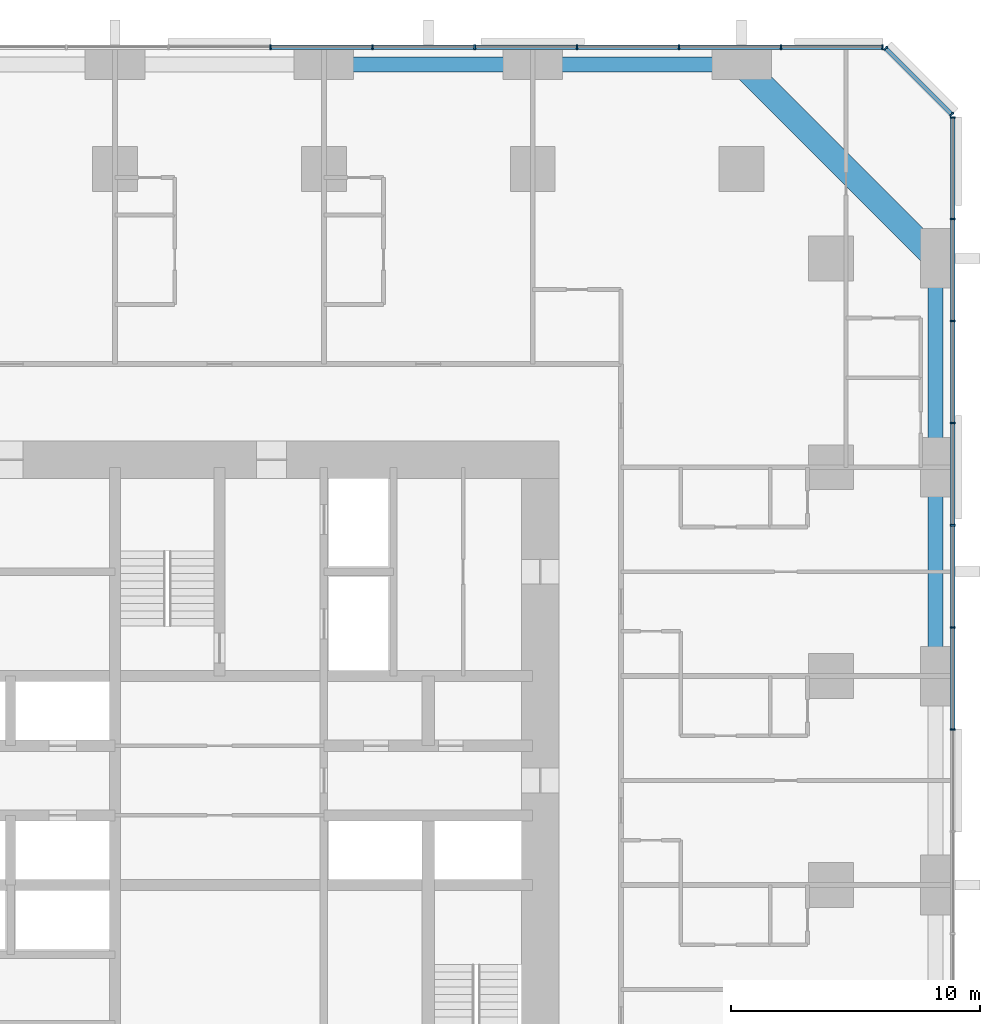
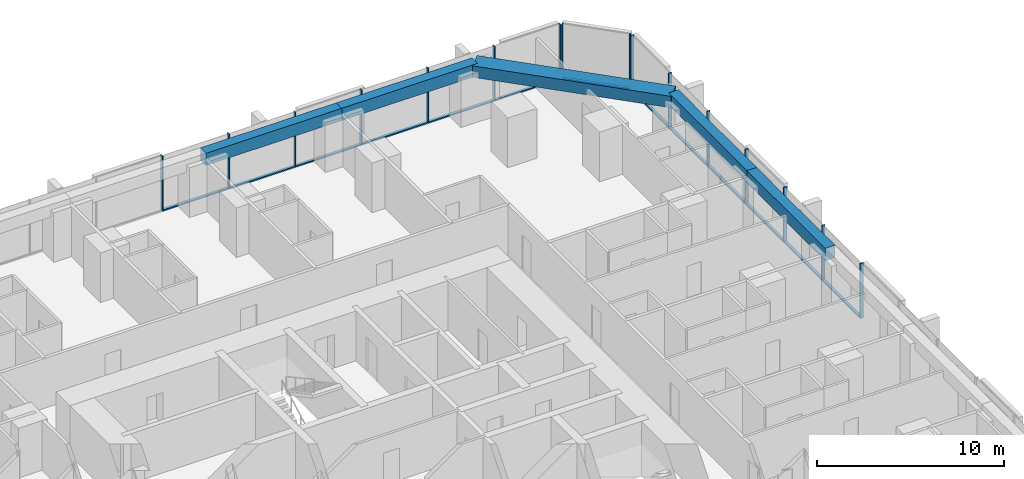
# One storey, part 8 of 17: 29 members, 5 beams, 3 elements without a shape of their own.
"""IFC4 building model written with IfcOpenShell, lengths in metres."""

from ifc_helpers import new_model, si_unit, direction, frame, origin, origin_2d, place, context, subcontext, project, spatial, rectangle, extrude, material, material_profile, profile_set, type_object, element, aggregate, save


model = new_model("IFC4")

# Units and contexts
model_context = context("Model", 3, precision=1e-05, world=origin(), true_north=direction((0.0, 1.0)))
body_context = subcontext(model_context, "Body", "Model", "MODEL_VIEW")
ifc_project = project(units=[si_unit("LENGTHUNIT", "METRE"), si_unit("AREAUNIT", "SQUARE_METRE"), si_unit("VOLUMEUNIT", "CUBIC_METRE"), si_unit("PLANEANGLEUNIT", "RADIAN"), si_unit("MASSUNIT", "GRAM", prefix="KILO")], contexts=[model_context])

# Site, building, storey
site_placement = place(None, origin())
site = spatial("IfcSite", under=ifc_project, at=site_placement, CompositionType="ELEMENT")
building_placement = place(site_placement, origin())
building = spatial("IfcBuilding", under=site, at=building_placement, Name="Dunama Terrace Hotel", CompositionType="ELEMENT")
storey_placement = place(building_placement, frame((0.0, 0.0, 55.800048828125)))
storey = spatial("IfcBuildingStorey", under=building, at=storey_placement, Name="L13", CompositionType="ELEMENT", Elevation=55.800048828125)

# Curtain wall, members
ifc_material_1 = material(Name="Aluminium curtain wall system", Category="aluminium")
curtain_wall_type = type_object("IfcCurtainWallType", Name="Unitised fritted glass wall CW-A", PredefinedType="NOTDEFINED", material=ifc_material_1)
curtain_wall_1_placement = place(storey_placement, origin())
curtain_wall_1 = element("IfcCurtainWall", 1, at=curtain_wall_1_placement, inside=storey, type_object=curtain_wall_type, Name="Unitised fritted glass wall CW-A L13", PredefinedType="NOTDEFINED")
ifc_material_2 = material(Name="Aluminium mullion", Category="aluminium")
ifc_material_profile_1 = material_profile(ifc_material_2, rectangle(XDim=0.06494140625, YDim=0.199951171875, at=origin_2d()), Name="CWA MULLION 65X200")
ifc_profile_set_1 = profile_set([ifc_material_profile_1], Name="Aluminium mullion")
member_type_1 = type_object("IfcMemberType", Name="CWA mullion 65x200", PredefinedType="MULLION", material=ifc_profile_set_1)
member_1_placement = place(storey_placement, frame((58.89990234375, 31.4541015625, 0.0), z_axis=(0.0, 0.0, 1.0), x_axis=(0.0, 1.0, 0.0)))
member_1 = element("IfcMember", 2, at=member_1_placement, type_object=member_type_1, Name="CWA mullion", PredefinedType="MULLION", context=body_context, shape_type="SweptSolid", body=[
    extrude(rectangle(XDim=0.06494140625, YDim=0.199951171875, at=origin_2d()), origin(), (0.0, 0.0, 1.0), 3.599853515625),
])
member_2_placement = place(storey_placement, frame((58.89990234375, 35.56201171875, 0.0), z_axis=(0.0, 0.0, 1.0), x_axis=(0.0, 1.0, 0.0)))
member_2 = element("IfcMember", 3, at=member_2_placement, type_object=member_type_1, Name="CWA mullion", PredefinedType="MULLION", context=body_context, shape_type="SweptSolid", body=[
    extrude(rectangle(XDim=0.06494140625, YDim=0.199951171875, at=origin_2d()), origin(), (0.0, 0.0, 1.0), 3.599853515625),
])
member_3_placement = place(storey_placement, frame((58.89990234375, 39.6689453125, 0.0), z_axis=(0.0, 0.0, 1.0), x_axis=(0.0, 1.0, 0.0)))
member_3 = element("IfcMember", 4, at=member_3_placement, type_object=member_type_1, Name="CWA mullion", PredefinedType="MULLION", context=body_context, shape_type="SweptSolid", body=[
    extrude(rectangle(XDim=0.06494140625, YDim=0.199951171875, at=origin_2d()), origin(), (0.0, 0.0, 1.0), 3.599853515625),
])
member_4_placement = place(storey_placement, frame((58.89990234375, 43.777099609375, 0.0), z_axis=(0.0, 0.0, 1.0), x_axis=(0.0, 1.0, 0.0)))
member_4 = element("IfcMember", 5, at=member_4_placement, type_object=member_type_1, Name="CWA mullion", PredefinedType="MULLION", context=body_context, shape_type="SweptSolid", body=[
    extrude(rectangle(XDim=0.06494140625, YDim=0.199951171875, at=origin_2d()), origin(), (0.0, 0.0, 1.0), 3.599853515625),
])
member_5_placement = place(storey_placement, frame((58.89990234375, 47.885009765625, 0.0), z_axis=(0.0, 0.0, 1.0), x_axis=(0.0, 1.0, 0.0)))
member_5 = element("IfcMember", 6, at=member_5_placement, type_object=member_type_1, Name="CWA mullion", PredefinedType="MULLION", context=body_context, shape_type="SweptSolid", body=[
    extrude(rectangle(XDim=0.06494140625, YDim=0.199951171875, at=origin_2d()), origin(), (0.0, 0.0, 1.0), 3.599853515625),
])
member_6_placement = place(storey_placement, frame((58.89990234375, 51.991943359375, 0.0), z_axis=(0.0, 0.0, 1.0), x_axis=(0.0, 1.0, 0.0)))
member_6 = element("IfcMember", 7, at=member_6_placement, type_object=member_type_1, Name="CWA mullion", PredefinedType="MULLION", context=body_context, shape_type="SweptSolid", body=[
    extrude(rectangle(XDim=0.06494140625, YDim=0.199951171875, at=origin_2d()), origin(), (0.0, 0.0, 1.0), 3.599853515625),
])
member_7_placement = place(storey_placement, frame((58.89990234375, 56.06689453125, 0.0), z_axis=(0.0, 0.0, 1.0), x_axis=(0.0, 1.0, 0.0)))
member_7 = element("IfcMember", 8, at=member_7_placement, type_object=member_type_1, Name="CWA mullion", PredefinedType="MULLION", context=body_context, shape_type="SweptSolid", body=[
    extrude(rectangle(XDim=0.06494140625, YDim=0.199951171875, at=origin_2d()), origin(), (0.0, 0.0, 1.0), 3.599853515625),
])

curtain_wall_2_placement = place(storey_placement, origin())
curtain_wall_2 = element("IfcCurtainWall", 9, at=curtain_wall_2_placement, inside=storey, type_object=curtain_wall_type, Name="Unitised fritted glass wall CW-A L13", PredefinedType="NOTDEFINED")
member_8_placement = place(storey_placement, frame((58.847900390625, 56.194091796875, 0.0), z_axis=(0.0, 0.0, 1.0), x_axis=(-0.707106781187, 0.707106781187, 0.0)))
member_8 = element("IfcMember", 10, at=member_8_placement, type_object=member_type_1, Name="CWA mullion", PredefinedType="MULLION", context=body_context, shape_type="SweptSolid", body=[
    extrude(rectangle(XDim=0.06494140625, YDim=0.199951171875, at=origin_2d()), origin(), (0.0, 0.0, 1.0), 3.599853515625),
])
member_9_placement = place(storey_placement, frame((56.194091796875, 58.847900390625, 0.0), z_axis=(0.0, 0.0, 1.0), x_axis=(-0.707106781187, 0.707106781187, 0.0)))
member_9 = element("IfcMember", 11, at=member_9_placement, type_object=member_type_1, Name="CWA mullion", PredefinedType="MULLION", context=body_context, shape_type="SweptSolid", body=[
    extrude(rectangle(XDim=0.06494140625, YDim=0.199951171875, at=origin_2d()), origin(), (0.0, 0.0, 1.0), 3.599853515625),
])

curtain_wall_3_placement = place(storey_placement, origin())
curtain_wall_3 = element("IfcCurtainWall", 12, at=curtain_wall_3_placement, inside=storey, type_object=curtain_wall_type, Name="Unitised fritted glass wall CW-A L13", PredefinedType="NOTDEFINED")
member_10_placement = place(storey_placement, frame((56.06689453125, 58.89990234375, 0.0), z_axis=(0.0, 0.0, 1.0), x_axis=(-1.0, 0.0, 0.0)))
member_10 = element("IfcMember", 13, at=member_10_placement, type_object=member_type_1, Name="CWA mullion", PredefinedType="MULLION", context=body_context, shape_type="SweptSolid", body=[
    extrude(rectangle(XDim=0.06494140625, YDim=0.199951171875, at=origin_2d()), origin(), (0.0, 0.0, 1.0), 3.599853515625),
])
member_11_placement = place(storey_placement, frame((51.991943359375, 58.89990234375, 0.0), z_axis=(0.0, 0.0, 1.0), x_axis=(-1.0, 0.0, 0.0)))
member_11 = element("IfcMember", 14, at=member_11_placement, type_object=member_type_1, Name="CWA mullion", PredefinedType="MULLION", context=body_context, shape_type="SweptSolid", body=[
    extrude(rectangle(XDim=0.06494140625, YDim=0.199951171875, at=origin_2d()), origin(), (0.0, 0.0, 1.0), 3.599853515625),
])
member_12_placement = place(storey_placement, frame((47.885009765625, 58.89990234375, 0.0), z_axis=(0.0, 0.0, 1.0), x_axis=(-1.0, 0.0, 0.0)))
member_12 = element("IfcMember", 15, at=member_12_placement, type_object=member_type_1, Name="CWA mullion", PredefinedType="MULLION", context=body_context, shape_type="SweptSolid", body=[
    extrude(rectangle(XDim=0.06494140625, YDim=0.199951171875, at=origin_2d()), origin(), (0.0, 0.0, 1.0), 3.599853515625),
])
member_13_placement = place(storey_placement, frame((43.777099609375, 58.89990234375, 0.0), z_axis=(0.0, 0.0, 1.0), x_axis=(-1.0, 0.0, 0.0)))
member_13 = element("IfcMember", 16, at=member_13_placement, type_object=member_type_1, Name="CWA mullion", PredefinedType="MULLION", context=body_context, shape_type="SweptSolid", body=[
    extrude(rectangle(XDim=0.06494140625, YDim=0.199951171875, at=origin_2d()), origin(), (0.0, 0.0, 1.0), 3.599853515625),
])
member_14_placement = place(storey_placement, frame((39.6689453125, 58.89990234375, 0.0), z_axis=(0.0, 0.0, 1.0), x_axis=(-1.0, 0.0, 0.0)))
member_14 = element("IfcMember", 17, at=member_14_placement, type_object=member_type_1, Name="CWA mullion", PredefinedType="MULLION", context=body_context, shape_type="SweptSolid", body=[
    extrude(rectangle(XDim=0.06494140625, YDim=0.199951171875, at=origin_2d()), origin(), (0.0, 0.0, 1.0), 3.599853515625),
])
member_15_placement = place(storey_placement, frame((35.56201171875, 58.89990234375, 0.0), z_axis=(0.0, 0.0, 1.0), x_axis=(-1.0, 0.0, 0.0)))
member_15 = element("IfcMember", 18, at=member_15_placement, type_object=member_type_1, Name="CWA mullion", PredefinedType="MULLION", context=body_context, shape_type="SweptSolid", body=[
    extrude(rectangle(XDim=0.06494140625, YDim=0.199951171875, at=origin_2d()), origin(), (0.0, 0.0, 1.0), 3.599853515625),
])
member_16_placement = place(storey_placement, frame((31.4541015625, 58.89990234375, 0.0), z_axis=(0.0, 0.0, 1.0), x_axis=(-1.0, 0.0, 0.0)))
member_16 = element("IfcMember", 19, at=member_16_placement, type_object=member_type_1, Name="CWA mullion", PredefinedType="MULLION", context=body_context, shape_type="SweptSolid", body=[
    extrude(rectangle(XDim=0.06494140625, YDim=0.199951171875, at=origin_2d()), origin(), (0.0, 0.0, 1.0), 3.599853515625),
])

# Member
ifc_material_3 = material(Name="Aluminium transom", Category="aluminium")
ifc_material_profile_2 = material_profile(ifc_material_3, rectangle(XDim=0.179931640625, YDim=0.074951171875, at=origin_2d()), Name="CWA TRANSOM 180X75")
ifc_profile_set_2 = profile_set([ifc_material_profile_2], Name="Aluminium transom")
member_type_2 = type_object("IfcMemberType", Name="CWA transom 180x75", PredefinedType="USERDEFINED", material=ifc_profile_set_2)
member_17_placement = place(storey_placement, frame((58.89990234375, 31.486083984375, 0.037353515625), z_axis=(0.0, 1.0, 0.0), x_axis=(-1.0, 0.0, 0.0)))
member_17 = element("IfcMember", 20, at=member_17_placement, type_object=member_type_2, Name="CWA transom", ObjectType="TRANSOM", PredefinedType="USERDEFINED", context=body_context, shape_type="SweptSolid", body=[
    extrude(rectangle(XDim=0.179931640625, YDim=0.074951171875, at=origin_2d()), origin(), (0.0, 0.0, 1.0), 4.04296875),
])

member_18_placement = place(storey_placement, frame((58.89990234375, 35.593994140625, 0.037353515625), z_axis=(0.0, 1.0, 0.0), x_axis=(-1.0, 0.0, 0.0)))
member_18 = element("IfcMember", 21, at=member_18_placement, type_object=member_type_2, Name="CWA transom", ObjectType="TRANSOM", PredefinedType="USERDEFINED", context=body_context, shape_type="SweptSolid", body=[
    extrude(rectangle(XDim=0.179931640625, YDim=0.074951171875, at=origin_2d()), origin(), (0.0, 0.0, 1.0), 4.04296875),
])

member_19_placement = place(storey_placement, frame((58.89990234375, 39.701904296875, 0.037353515625), z_axis=(0.0, 1.0, 0.0), x_axis=(-1.0, 0.0, 0.0)))
member_19 = element("IfcMember", 22, at=member_19_placement, type_object=member_type_2, Name="CWA transom", ObjectType="TRANSOM", PredefinedType="USERDEFINED", context=body_context, shape_type="SweptSolid", body=[
    extrude(rectangle(XDim=0.179931640625, YDim=0.074951171875, at=origin_2d()), origin(), (0.0, 0.0, 1.0), 4.0419921875),
])

member_20_placement = place(storey_placement, frame((58.89990234375, 43.80908203125, 0.037353515625), z_axis=(0.0, 1.0, 0.0), x_axis=(-1.0, 0.0, 0.0)))
member_20 = element("IfcMember", 23, at=member_20_placement, type_object=member_type_2, Name="CWA transom", ObjectType="TRANSOM", PredefinedType="USERDEFINED", context=body_context, shape_type="SweptSolid", body=[
    extrude(rectangle(XDim=0.179931640625, YDim=0.074951171875, at=origin_2d()), origin(), (0.0, 0.0, 1.0), 4.04296875),
])

member_21_placement = place(storey_placement, frame((58.89990234375, 47.9169921875, 0.037353515625), z_axis=(0.0, 1.0, 0.0), x_axis=(-1.0, 0.0, 0.0)))
member_21 = element("IfcMember", 24, at=member_21_placement, type_object=member_type_2, Name="CWA transom", ObjectType="TRANSOM", PredefinedType="USERDEFINED", context=body_context, shape_type="SweptSolid", body=[
    extrude(rectangle(XDim=0.179931640625, YDim=0.074951171875, at=origin_2d()), origin(), (0.0, 0.0, 1.0), 4.04296875),
])

member_22_placement = place(storey_placement, frame((58.89990234375, 52.02490234375, 0.037353515625), z_axis=(0.0, 1.0, 0.0), x_axis=(-1.0, 0.0, 0.0)))
member_22 = element("IfcMember", 25, at=member_22_placement, type_object=member_type_2, Name="CWA transom", ObjectType="TRANSOM", PredefinedType="USERDEFINED", context=body_context, shape_type="SweptSolid", body=[
    extrude(rectangle(XDim=0.179931640625, YDim=0.074951171875, at=origin_2d()), origin(), (0.0, 0.0, 1.0), 4.010009765625),
])

aggregate(curtain_wall_1, [member_1, member_2, member_3, member_4, member_5, member_6, member_7, member_17, member_18, member_19, member_20, member_21, member_22])

member_23_placement = place(storey_placement, frame((58.824951171875, 56.217041015625, 0.037353515625), z_axis=(-0.707106781187, 0.707106781187, 0.0), x_axis=(-0.707106781187, -0.707106781187, 0.0)))
member_23 = element("IfcMember", 26, at=member_23_placement, type_object=member_type_2, Name="CWA transom", ObjectType="TRANSOM", PredefinedType="USERDEFINED", context=body_context, shape_type="SweptSolid", body=[
    extrude(rectangle(XDim=0.179931640625, YDim=0.074951171875, at=origin_2d()), origin(), (0.0, 0.0, 1.0), 3.688232421875),
])

aggregate(curtain_wall_2, [member_8, member_9, member_23])

member_24_placement = place(storey_placement, frame((56.034912109375, 58.89990234375, 0.037353515625), z_axis=(-1.0, 0.0, 0.0), x_axis=(0.0, -1.0, 0.0)))
member_24 = element("IfcMember", 27, at=member_24_placement, type_object=member_type_2, Name="CWA transom", ObjectType="TRANSOM", PredefinedType="USERDEFINED", context=body_context, shape_type="SweptSolid", body=[
    extrude(rectangle(XDim=0.179931640625, YDim=0.074951171875, at=origin_2d()), origin(), (0.0, 0.0, 1.0), 4.010009765625),
])

member_25_placement = place(storey_placement, frame((51.9599609375, 58.89990234375, 0.037353515625), z_axis=(-1.0, 0.0, 0.0), x_axis=(0.0, -1.0, 0.0)))
member_25 = element("IfcMember", 28, at=member_25_placement, type_object=member_type_2, Name="CWA transom", ObjectType="TRANSOM", PredefinedType="USERDEFINED", context=body_context, shape_type="SweptSolid", body=[
    extrude(rectangle(XDim=0.179931640625, YDim=0.074951171875, at=origin_2d()), origin(), (0.0, 0.0, 1.0), 4.04296875),
])

member_26_placement = place(storey_placement, frame((47.85205078125, 58.89990234375, 0.037353515625), z_axis=(-1.0, 0.0, 0.0), x_axis=(0.0, -1.0, 0.0)))
member_26 = element("IfcMember", 29, at=member_26_placement, type_object=member_type_2, Name="CWA transom", ObjectType="TRANSOM", PredefinedType="USERDEFINED", context=body_context, shape_type="SweptSolid", body=[
    extrude(rectangle(XDim=0.179931640625, YDim=0.074951171875, at=origin_2d()), origin(), (0.0, 0.0, 1.0), 4.04296875),
])

member_27_placement = place(storey_placement, frame((43.743896484375, 58.89990234375, 0.037353515625), z_axis=(-1.0, 0.0, 0.0), x_axis=(0.0, -1.0, 0.0)))
member_27 = element("IfcMember", 30, at=member_27_placement, type_object=member_type_2, Name="CWA transom", ObjectType="TRANSOM", PredefinedType="USERDEFINED", context=body_context, shape_type="SweptSolid", body=[
    extrude(rectangle(XDim=0.179931640625, YDim=0.074951171875, at=origin_2d()), origin(), (0.0, 0.0, 1.0), 4.0419921875),
])

member_28_placement = place(storey_placement, frame((39.636962890625, 58.89990234375, 0.037353515625), z_axis=(-1.0, 0.0, 0.0), x_axis=(0.0, -1.0, 0.0)))
member_28 = element("IfcMember", 31, at=member_28_placement, type_object=member_type_2, Name="CWA transom", ObjectType="TRANSOM", PredefinedType="USERDEFINED", context=body_context, shape_type="SweptSolid", body=[
    extrude(rectangle(XDim=0.179931640625, YDim=0.074951171875, at=origin_2d()), origin(), (0.0, 0.0, 1.0), 4.04296875),
])

member_29_placement = place(storey_placement, frame((35.529052734375, 58.89990234375, 0.037353515625), z_axis=(-1.0, 0.0, 0.0), x_axis=(0.0, -1.0, 0.0)))
member_29 = element("IfcMember", 32, at=member_29_placement, type_object=member_type_2, Name="CWA transom", ObjectType="TRANSOM", PredefinedType="USERDEFINED", context=body_context, shape_type="SweptSolid", body=[
    extrude(rectangle(XDim=0.179931640625, YDim=0.074951171875, at=origin_2d()), origin(), (0.0, 0.0, 1.0), 4.04296875),
])

aggregate(curtain_wall_3, [member_10, member_11, member_12, member_13, member_14, member_15, member_16, member_24, member_25, member_26, member_27, member_28, member_29])

# Beams
ifc_material_4 = material(Name="Concrete C50/60", Category="concrete")
ifc_material_profile_3 = material_profile(ifc_material_4, rectangle(XDim=1.0, YDim=0.75, at=origin_2d()), Name="RC 1000x750")
ifc_profile_set_3 = profile_set([ifc_material_profile_3], Name="Concrete C50/60")
beam_type_1 = type_object("IfcBeamType", Name="Edge beam RC 1000x750", PredefinedType="SPANDREL", material=ifc_profile_set_3)
beam_placement = place(storey_placement, frame((50.39990234375, 58.199951171875, 3.224853515625), z_axis=(0.707106781187, -0.707106781187, 0.0), x_axis=(0.707106781187, 0.707106781187, 0.0)))
element("IfcBeam", 33, at=beam_placement, inside=storey, type_object=beam_type_1, Name="Corner edge beam under L14", PredefinedType="SPANDREL", context=body_context, shape_type="SweptSolid", body=[
    extrude(rectangle(XDim=1.0, YDim=0.75, at=origin_2d()), origin(), (0.0, 0.0, 1.0), 11.031005859375),
])
ifc_material_5 = material(Name="Concrete C40/50", Category="concrete")
ifc_material_profile_4 = material_profile(ifc_material_5, rectangle(XDim=0.60009765625, YDim=0.800048828125, at=origin_2d()), Name="RC 600x800")
ifc_profile_set_4 = profile_set([ifc_material_profile_4], Name="Concrete C40/50")
beam_type_2 = type_object("IfcBeamType", Name="Edge beam RC 600x800", PredefinedType="SPANDREL", material=ifc_profile_set_4)
for number, where, z_axis, x_axis, name in (
    (34, (58.199951171875, 33.60009765625, 3.199951171875), (0.0, 1.0, 0.0), (-1.0, 0.0, 0.0), "Edge beam under L14"),
    (35, (58.199951171875, 42.0, 3.199951171875), (0.0, 1.0, 0.0), (-1.0, 0.0, 0.0), "Edge beam under L14"),
    (36, (33.60009765625, 58.199951171875, 3.199951171875), (1.0, 0.0, 0.0), (0.0, 1.0, 0.0), "Edge beam under L14"),
    (37, (42.0, 58.199951171875, 3.199951171875), (1.0, 0.0, 0.0), (0.0, 1.0, 0.0), "Edge beam under L14"),
):
    element("IfcBeam", number, at=place(storey_placement, frame(where, z_axis=z_axis, x_axis=x_axis)), inside=storey, type_object=beam_type_2, Name=name, PredefinedType="SPANDREL", context=body_context, shape_type="SweptSolid", body=[
        extrude(rectangle(XDim=0.60009765625, YDim=0.800048828125, at=origin_2d()), origin(), (0.0, 0.0, 1.0), 8.39990234375),
    ])

save(model, "model.ifc")
